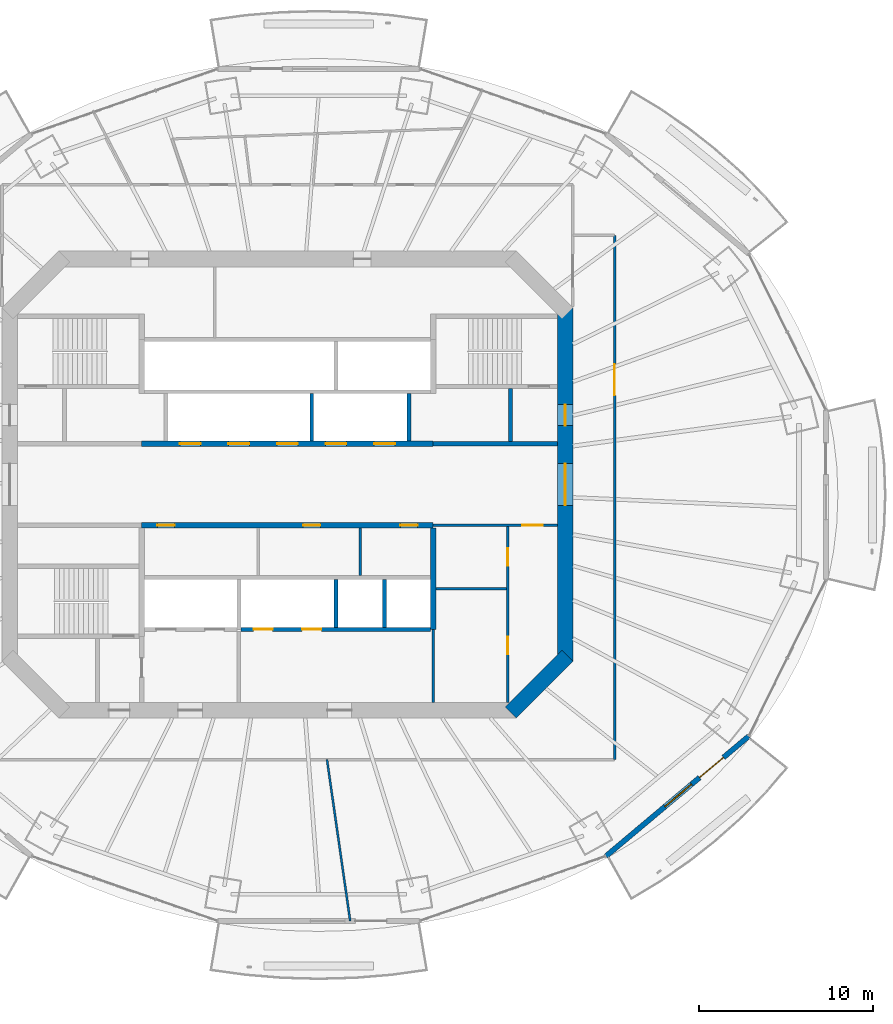
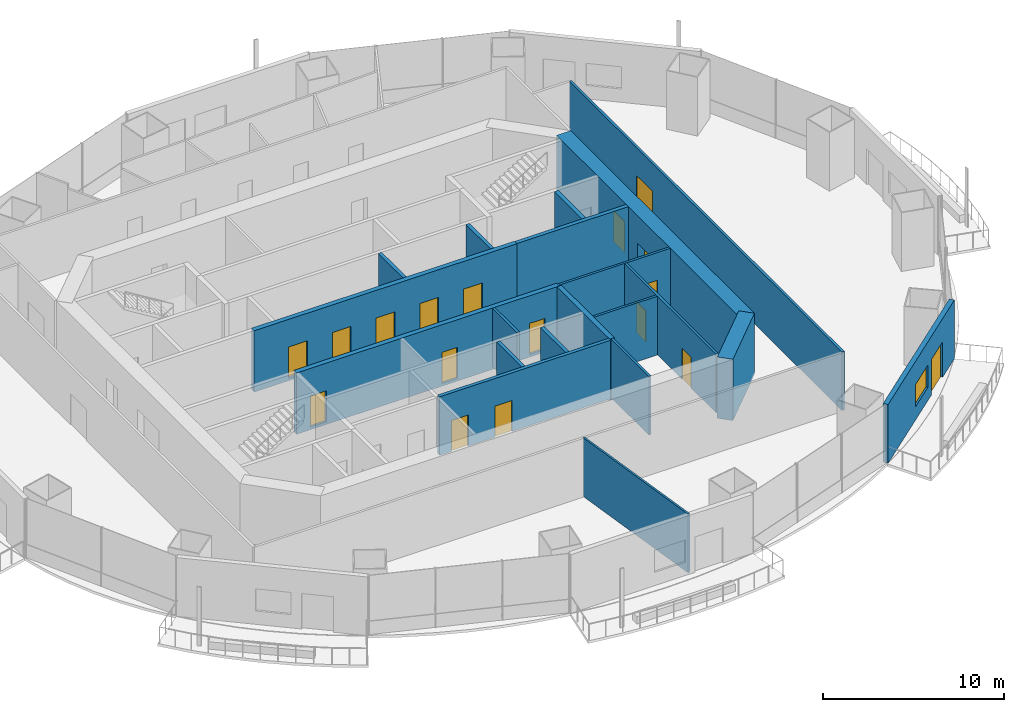
# One storey, part 11 of 19: 20 walls, 17 doors, 1 window, 18 openings.
"""IFC4 building model written with IfcOpenShell, lengths in metres."""

import ifcopenshell
import ifcopenshell.guid

model = None  # the IFC model being written
_history = None  # IfcOwnerHistory: only IFC2X3 demands one
_inside = {}  # id of a spatial element -> (the spatial element, [elements in it])
_under = {}  # id of a project, library or spatial element -> (it, [spatial elements below it])
_declared = {}  # id of a project -> (the project, [libraries it declares])
_typed = {}  # id of a type object -> (the type object, [elements of that type])
_made_of = {}  # id of a material, layer set ... -> (it, [elements and type objects made of it])


def new_model(schema):
    """Start an empty IFC model of exactly this schema.

    Asked for "IFC4X3", IfcOpenShell would pick the latest addendum, in which some entities
    have other attributes; the version numbers below select the first issue.
    IFC2X3 requires an IfcOwnerHistory on every rooted entity: one is made here for all.
    """
    global model, _history
    if schema == "IFC4X3":
        model = ifcopenshell.file(schema_version=(4, 3, 0, 0))
    else:
        model = ifcopenshell.file(schema=schema)
    _inside.clear()
    _under.clear()
    _declared.clear()
    _typed.clear()
    _made_of.clear()
    _history = None
    if model.schema == "IFC2X3":
        org = make("IfcOrganization", Name="unknown")
        user = make(
            "IfcPersonAndOrganization",
            ThePerson=make("IfcPerson", FamilyName="unknown"),
            TheOrganization=org,
        )
        app = make(
            "IfcApplication",
            ApplicationDeveloper=org,
            Version="unknown",
            ApplicationFullName="unknown",
            ApplicationIdentifier="unknown",
        )
        _history = make(
            "IfcOwnerHistory",
            OwningUser=user,
            OwningApplication=app,
            ChangeAction="ADDED",
            CreationDate=0,
        )
    return model


def make(cls, **values):
    """One entity of the class cls with the attributes given. An attribute that is None is left unset."""
    return model.create_entity(
        cls, **{name: value for name, value in values.items() if value is not None}
    )


def rooted(cls, **values):
    """An entity with a GlobalId (a new one), such as an element, a storey or a relation."""
    return make(cls, GlobalId=ifcopenshell.guid.new(), OwnerHistory=_history, **values)


def si_unit(unit_type, name, prefix=None):
    """IfcSIUnit, for example si_unit("LENGTHUNIT", "METRE", prefix="MILLI")."""
    return make("IfcSIUnit", UnitType=unit_type, Prefix=prefix, Name=name)


def assignment(units):
    """IfcUnitAssignment: the units of a project."""
    return None if units is None else make("IfcUnitAssignment", Units=units)


def point(xyz):
    """IfcCartesianPoint."""
    return None if xyz is None else make("IfcCartesianPoint", Coordinates=xyz)


def direction(xyz):
    """IfcDirection."""
    return None if xyz is None else make("IfcDirection", DirectionRatios=xyz)


def frame(location, z_axis=None, x_axis=None):
    """IfcAxis2Placement3D, a coordinate frame: its origin and axes. An axis left out is left unset."""
    return make(
        "IfcAxis2Placement3D",
        Location=point(location),
        Axis=direction(z_axis),
        RefDirection=direction(x_axis),
    )


def frame_2d(location, x_axis=None):
    """IfcAxis2Placement2D, a coordinate frame in the plane: its origin and x axis."""
    return make(
        "IfcAxis2Placement2D", Location=point(location), RefDirection=direction(x_axis)
    )


def origin():
    """The frame at (0, 0, 0) with its axes left unset."""
    return frame((0.0, 0.0, 0.0))


def place(relative_to, where):
    """IfcLocalPlacement: puts the frame where relative to a parent placement (None: the world)."""
    return make(
        "IfcLocalPlacement", PlacementRelTo=relative_to, RelativePlacement=where
    )


def context(
    kind, dimensions, precision=None, world=None, true_north=None, identifier=None
):
    """IfcGeometricRepresentationContext, for example the 3D "Model" context."""
    return make(
        "IfcGeometricRepresentationContext",
        ContextIdentifier=identifier,
        ContextType=kind,
        CoordinateSpaceDimension=dimensions,
        Precision=precision,
        WorldCoordinateSystem=world,
        TrueNorth=true_north,
    )


def subcontext(parent, identifier, kind, view, scale=None):
    """IfcGeometricRepresentationSubContext, for example "Body" below "Model"."""
    return make(
        "IfcGeometricRepresentationSubContext",
        ContextIdentifier=identifier,
        ContextType=kind,
        ParentContext=parent,
        TargetScale=scale,
        TargetView=view,
    )


def project(units=None, contexts=None):
    """IfcProject with its units and contexts."""
    return rooted(
        "IfcProject",
        Name="project",
        RepresentationContexts=contexts,
        UnitsInContext=assignment(units),
    )


def spatial(cls, under=None, at=None, **own):
    """A site, building, storey or space (cls), placed at a placement, below another one or the project."""
    s = rooted(cls, ObjectPlacement=at, **own)
    if under is not None:
        _under.setdefault(under.id(), (under, []))[1].append(s)
    return s


def profile(cls, at=None, kind="AREA", **sizes):
    """A parametric profile (cls). Its sizes go by their IFC names, for example OverallWidth=200.0."""
    return make(cls, ProfileType=kind, Position=at, **sizes)


def rectangle(**sizes):
    """IfcRectangleProfileDef."""
    return profile("IfcRectangleProfileDef", **sizes)


def extrude(swept, where, along, depth):
    """IfcExtrudedAreaSolid: the profile swept, set in the frame where, extruded along a direction by depth."""
    return make(
        "IfcExtrudedAreaSolid",
        SweptArea=swept,
        Position=where,
        ExtrudedDirection=direction(along),
        Depth=depth,
    )


def shape(context_of_items, identifier, shape_type, items):
    """IfcShapeRepresentation: the items that make up one representation, for example the "Body"."""
    return make(
        "IfcShapeRepresentation",
        ContextOfItems=context_of_items,
        RepresentationIdentifier=identifier,
        RepresentationType=shape_type,
        Items=items,
    )


def material(Name=None, Category=None):
    """IfcMaterial."""
    return make("IfcMaterial", Name=Name, Category=Category)


def layer(
    of_material, thickness, ventilated=None, Name=None, Category=None, Priority=None
):
    """IfcMaterialLayer: one layer of a wall or slab, of a material (None: an air gap)."""
    return make(
        "IfcMaterialLayer",
        Material=of_material,
        LayerThickness=thickness,
        IsVentilated=ventilated,
        Name=Name,
        Category=Category,
        Priority=Priority,
    )


def layer_set(layers, Name=None):
    """IfcMaterialLayerSet."""
    return make("IfcMaterialLayerSet", MaterialLayers=layers, LayerSetName=Name)


def made_of(thing, what):
    """Note that an element or type object is made of a material, layer set ...; save() writes the relation."""
    if what is not None:
        _made_of.setdefault(what.id(), (what, []))[1].append(thing)
    return thing


def type_object(cls, material=None, **own):
    """A type object (cls), such as IfcWallType, which elements share."""
    return made_of(rooted(cls, **own), material)


def element(
    cls,
    number,
    at=None,
    inside=None,
    cuts=None,
    type_object=None,
    material=None,
    context=None,
    identifier="Body",
    shape_type=None,
    held_by="IfcProductDefinitionShape",
    body=None,
    shapes=None,
    **own,
):
    """One element of the class cls, such as IfcWall. Its Tag is "e" and its number.

    at: its placement. inside: the storey or other place that contains it. cuts: it is an
    opening in that element (IfcRelVoidsElement). A single representation is given by context,
    identifier, shape_type and body (its items); several are given by shapes. held_by: the class
    of the entity that holds the representations. save() writes the other relations.
    """
    e = rooted(cls, Tag="e%d" % number, ObjectPlacement=at, **own)
    if body is not None:
        shapes = [shape(context, identifier, shape_type, body)]
    if shapes is not None:
        e.Representation = make(held_by, Representations=shapes)
    if inside is not None:
        _inside.setdefault(inside.id(), (inside, []))[1].append(e)
    if cuts is not None:
        rooted(
            "IfcRelVoidsElement", RelatingBuildingElement=cuts, RelatedOpeningElement=e
        )
    if type_object is not None:
        _typed.setdefault(type_object.id(), (type_object, []))[1].append(e)
    return made_of(e, material)


def fill(opening, filler):
    """IfcRelFillsElement: the door or window that sits in an opening."""
    return rooted(
        "IfcRelFillsElement",
        RelatingOpeningElement=opening,
        RelatedBuildingElement=filler,
    )


def aggregate(whole, parts):
    """IfcRelAggregates: a whole, such as a stair, and the parts it consists of."""
    return rooted("IfcRelAggregates", RelatingObject=whole, RelatedObjects=parts)


def save(model, path):
    """Write the relations noted so far, then the file.

    IfcRelAggregates (storeys below a building ...), IfcRelContainedInSpatialStructure (elements
    in a storey), IfcRelDefinesByType, IfcRelAssociatesMaterial and IfcRelDeclares: one each for
    every whole, place, type object, material and project.
    """
    for whole, parts in _under.values():
        aggregate(whole, parts)
    for where, things in _inside.values():
        rooted(
            "IfcRelContainedInSpatialStructure",
            RelatedElements=things,
            RelatingStructure=where,
        )
    for kind, things in _typed.values():
        rooted("IfcRelDefinesByType", RelatedObjects=things, RelatingType=kind)
    for what, things in _made_of.values():
        rooted("IfcRelAssociatesMaterial", RelatedObjects=things, RelatingMaterial=what)
    for by, libraries in _declared.values():
        rooted("IfcRelDeclares", RelatingContext=by, RelatedDefinitions=libraries)
    model.write(path)


model = new_model("IFC4")

# Units and contexts
model_context = context("Model", 3, precision=1e-05, world=origin(), true_north=direction((0.0, 1.0)))
body_context = subcontext(model_context, "Body", "Model", "MODEL_VIEW")
ifc_project = project(units=[si_unit("LENGTHUNIT", "METRE"), si_unit("AREAUNIT", "SQUARE_METRE"), si_unit("VOLUMEUNIT", "CUBIC_METRE"), si_unit("PLANEANGLEUNIT", "RADIAN"), si_unit("MASSUNIT", "GRAM", prefix="KILO")], contexts=[model_context])

# Site, building, storey
site_placement = place(None, origin())
site = spatial("IfcSite", under=ifc_project, at=site_placement, CompositionType="ELEMENT")
building_placement = place(site_placement, origin())
building = spatial("IfcBuilding", under=site, at=building_placement, Name="Marenthal Gate Tower", CompositionType="ELEMENT")
storey_placement = place(building_placement, frame((0.0, 0.0, 256.5)))
storey = spatial("IfcBuildingStorey", under=building, at=storey_placement, Name="L57", CompositionType="ELEMENT", Elevation=256.5)

# Wall
ifc_material_1 = material(Name="Concrete 60 MPa", Category="concrete")
ifc_layer_1 = layer(ifc_material_1, 0.89990234375)
ifc_layer_set_1 = layer_set([ifc_layer_1], Name="Core shear wall 900")
wall_type_1 = type_object("IfcWallType", Name="Core shear wall 900", PredefinedType="SHEAR", material=ifc_layer_set_1)
wall_1_placement = place(storey_placement, frame((12.8681640625, -13.1318359375, -0.179931640625), z_axis=(0.0, 0.0, 1.0), x_axis=(0.707106781187, 0.707106781187, 0.0)))
element("IfcWall", 1, at=wall_1_placement, inside=storey, type_object=wall_type_1, Name="Core wall 01", PredefinedType="SHEAR", context=body_context, shape_type="SweptSolid", body=[
    extrude(rectangle(XDim=4.615478515625, YDim=0.89990234375, at=frame_2d((2.3076171875, 0.0))), origin(), (0.0, 0.0, 1.0), 4.14990234375),
])

# Wall, openings, doors
wall_2_placement = place(storey_placement, frame((16.0, -10.186279296875, -0.179931640625), z_axis=(0.0, 0.0, 1.0), x_axis=(0.0, 1.0, 0.0)))
wall_2 = element("IfcWall", 2, at=wall_2_placement, inside=storey, type_object=wall_type_1, Name="Core wall 02", PredefinedType="SHEAR", context=body_context, shape_type="SweptSolid", body=[
    extrude(rectangle(XDim=20.37255859375, YDim=0.89990234375, at=frame_2d((10.186279296875, 0.0))), origin(), (0.0, 0.0, 1.0), 4.14990234375),
])
opening_1_placement = place(wall_2_placement, frame((8.986328125, 0.0, 0.179931640625)))
opening_1 = element("IfcOpeningElement", 3, at=opening_1_placement, cuts=wall_2, Name="Opening D003.02", PredefinedType="OPENING", context=body_context, shape_type="SweptSolid", body=[
    extrude(rectangle(XDim=2.39990234375, YDim=2.10009765625, at=frame_2d((1.199951171875, 1.050048828125))), frame((0.0, 0.4599609375, 0.0), z_axis=(0.0, -1.0, 0.0), x_axis=(1.0, 0.0, 0.0)), (0.0, 0.0, 1.0), 0.919921875),
])
opening_2_placement = place(wall_2_placement, frame((13.58642578125, 0.0, 0.179931640625)))
opening_2 = element("IfcOpeningElement", 4, at=opening_2_placement, cuts=wall_2, Name="Opening D001.05", PredefinedType="OPENING", context=body_context, shape_type="SweptSolid", body=[
    extrude(rectangle(XDim=1.199951171875, YDim=2.10009765625, at=frame_2d((0.60009765625, 1.050048828125))), frame((0.0, 0.4599609375, 0.0), z_axis=(0.0, -1.0, 0.0), x_axis=(1.0, 0.0, 0.0)), (0.0, 0.0, 1.0), 0.919921875),
])
ifc_material_2 = material(Name="Steel fire door", Category="steel")
door_type_1 = type_object("IfcDoorType", Name="Double fire door FD 45 2400 x 2100", OperationType="DOUBLE_DOOR_SINGLE_SWING", PredefinedType="DOOR", material=ifc_material_2)
door_1_placement = place(opening_1_placement, origin())
door_1 = element("IfcDoor", 5, at=door_1_placement, inside=storey, type_object=door_type_1, Name="Door D003.02", OperationType="DOUBLE_DOOR_SINGLE_SWING", OverallHeight=2.10009765625, OverallWidth=2.39990234375, PredefinedType="DOOR", context=body_context, shape_type="SweptSolid", body=[
    extrude(rectangle(XDim=2.39990234375, YDim=2.10009765625, at=frame_2d((1.199951171875, 1.050048828125))), frame((0.0, 0.02490234375, 0.0), z_axis=(0.0, -1.0, 0.0), x_axis=(1.0, 0.0, 0.0)), (0.0, 0.0, 1.0), 0.050048828125),
])
fill(opening_1, door_1)
ifc_material_3 = material(Name="Steel fire door", Category="steel")
door_type_2 = type_object("IfcDoorType", Name="Fire door FD 90 1200 x 2100", OperationType="NOTDEFINED", PredefinedType="DOOR", material=ifc_material_3)
door_2_placement = place(opening_2_placement, origin())
door_2 = element("IfcDoor", 6, at=door_2_placement, inside=storey, type_object=door_type_2, Name="Door D001.05", OperationType="SINGLE_SWING_RIGHT", OverallHeight=2.10009765625, OverallWidth=1.199951171875, PredefinedType="DOOR", context=body_context, shape_type="SweptSolid", body=[
    extrude(rectangle(XDim=1.199951171875, YDim=2.10009765625, at=frame_2d((0.60009765625, 1.050048828125))), frame((0.0, 0.02490234375, 0.0), z_axis=(0.0, -1.0, 0.0), x_axis=(1.0, 0.0, 0.0)), (0.0, 0.0, 1.0), 0.050048828125),
])
fill(opening_2, door_2)

ifc_material_4 = material(Name="Concrete 50 MPa", Category="concrete")
ifc_layer_2 = layer(ifc_material_4, 0.300048828125)
ifc_layer_set_2 = layer_set([ifc_layer_2], Name="Hoistway shear wall 300")
wall_type_2 = type_object("IfcWallType", Name="Hoistway shear wall 300", PredefinedType="SHEAR", material=ifc_layer_set_2)
wall_3_placement = place(storey_placement, frame((-8.39990234375, -2.35009765625, -0.179931640625), z_axis=(0.0, 0.0, 1.0), x_axis=(1.0, 0.0, 0.0)))
wall_3 = element("IfcWall", 7, at=wall_3_placement, inside=storey, type_object=wall_type_2, Name="Hoistway wall 16", PredefinedType="SHEAR", context=body_context, shape_type="SweptSolid", body=[
    extrude(rectangle(XDim=16.7998046875, YDim=0.300048828125, at=frame_2d((8.39990234375, 0.0))), origin(), (0.0, 0.0, 1.0), 4.14990234375),
])
opening_3_placement = place(wall_3_placement, frame((0.89990234375, 0.0, 0.179931640625)))
opening_3 = element("IfcOpeningElement", 8, at=opening_3_placement, cuts=wall_3, Name="Opening D005.01", PredefinedType="OPENING", context=body_context, shape_type="SweptSolid", body=[
    extrude(rectangle(XDim=1.0, YDim=2.10009765625, at=frame_2d((0.5, 1.050048828125))), frame((0.0, 0.16015625, 0.0), z_axis=(0.0, -1.0, 0.0), x_axis=(1.0, 0.0, 0.0)), (0.0, 0.0, 1.0), 0.320068359375),
])
opening_4_placement = place(wall_3_placement, frame((9.300048828125, 0.0, 0.179931640625)))
opening_4 = element("IfcOpeningElement", 9, at=opening_4_placement, cuts=wall_3, Name="Opening D005.02", PredefinedType="OPENING", context=body_context, shape_type="SweptSolid", body=[
    extrude(rectangle(XDim=1.0, YDim=2.10009765625, at=frame_2d((0.5, 1.050048828125))), frame((0.0, 0.16015625, 0.0), z_axis=(0.0, -1.0, 0.0), x_axis=(1.0, 0.0, 0.0)), (0.0, 0.0, 1.0), 0.320068359375),
])
opening_5_placement = place(wall_3_placement, frame((14.89990234375, 0.0, 0.179931640625)))
opening_5 = element("IfcOpeningElement", 10, at=opening_5_placement, cuts=wall_3, Name="Opening D005.03", PredefinedType="OPENING", context=body_context, shape_type="SweptSolid", body=[
    extrude(rectangle(XDim=1.0, YDim=2.10009765625, at=frame_2d((0.5, 1.050048828125))), frame((0.0, 0.16015625, 0.0), z_axis=(0.0, -1.0, 0.0), x_axis=(1.0, 0.0, 0.0)), (0.0, 0.0, 1.0), 0.320068359375),
])
ifc_material_5 = material(Name="Steel fire door", Category="steel")
door_type_3 = type_object("IfcDoorType", Name="Fire door FD 45 1000 x 2100", OperationType="NOTDEFINED", PredefinedType="DOOR", material=ifc_material_5)
door_3_placement = place(opening_3_placement, frame((1.0, 0.0, 0.0), z_axis=(0.0, 0.0, 1.0), x_axis=(-1.0, 0.0, 0.0)))
door_3 = element("IfcDoor", 11, at=door_3_placement, inside=storey, type_object=door_type_3, Name="Door D005.01", OperationType="SINGLE_SWING_LEFT", OverallHeight=2.10009765625, OverallWidth=1.0, PredefinedType="DOOR", context=body_context, shape_type="SweptSolid", body=[
    extrude(rectangle(XDim=1.0, YDim=2.10009765625, at=frame_2d((0.5, 1.050048828125))), frame((0.0, 0.02490234375, 0.0), z_axis=(0.0, -1.0, 0.0), x_axis=(1.0, 0.0, 0.0)), (0.0, 0.0, 1.0), 0.050048828125),
])
fill(opening_3, door_3)
door_4_placement = place(opening_4_placement, frame((1.0, 0.0, 0.0), z_axis=(0.0, 0.0, 1.0), x_axis=(-1.0, 0.0, 0.0)))
door_4 = element("IfcDoor", 12, at=door_4_placement, inside=storey, type_object=door_type_3, Name="Door D005.02", OperationType="SINGLE_SWING_LEFT", OverallHeight=2.10009765625, OverallWidth=1.0, PredefinedType="DOOR", context=body_context, shape_type="SweptSolid", body=[
    extrude(rectangle(XDim=1.0, YDim=2.10009765625, at=frame_2d((0.5, 1.050048828125))), frame((0.0, 0.02490234375, 0.0), z_axis=(0.0, -1.0, 0.0), x_axis=(1.0, 0.0, 0.0)), (0.0, 0.0, 1.0), 0.050048828125),
])
fill(opening_4, door_4)
door_5_placement = place(opening_5_placement, frame((1.0, 0.0, 0.0), z_axis=(0.0, 0.0, 1.0), x_axis=(-1.0, 0.0, 0.0)))
door_5 = element("IfcDoor", 13, at=door_5_placement, inside=storey, type_object=door_type_3, Name="Door D005.03", OperationType="SINGLE_SWING_LEFT", OverallHeight=2.10009765625, OverallWidth=1.0, PredefinedType="DOOR", context=body_context, shape_type="SweptSolid", body=[
    extrude(rectangle(XDim=1.0, YDim=2.10009765625, at=frame_2d((0.5, 1.050048828125))), frame((0.0, 0.02490234375, 0.0), z_axis=(0.0, -1.0, 0.0), x_axis=(1.0, 0.0, 0.0)), (0.0, 0.0, 1.0), 0.050048828125),
])
fill(opening_5, door_5)

wall_4_placement = place(storey_placement, frame((-8.39990234375, 2.35009765625, -0.179931640625), z_axis=(0.0, 0.0, 1.0), x_axis=(1.0, 0.0, 0.0)))
wall_4 = element("IfcWall", 14, at=wall_4_placement, inside=storey, type_object=wall_type_2, Name="Hoistway wall 19", PredefinedType="SHEAR", context=body_context, shape_type="SweptSolid", body=[
    extrude(rectangle(XDim=16.7998046875, YDim=0.300048828125, at=frame_2d((8.39990234375, 0.0))), origin(), (0.0, 0.0, 1.0), 4.14990234375),
])
opening_6_placement = place(wall_4_placement, frame((2.199951171875, 0.0, 0.179931640625)))
opening_6 = element("IfcOpeningElement", 15, at=opening_6_placement, cuts=wall_4, Name="Opening LD-MP1", PredefinedType="OPENING", context=body_context, shape_type="SweptSolid", body=[
    extrude(rectangle(XDim=1.199951171875, YDim=2.10009765625, at=frame_2d((0.60009765625, 1.050048828125))), frame((0.0, 0.16015625, 0.0), z_axis=(0.0, -1.0, 0.0), x_axis=(1.0, 0.0, 0.0)), (0.0, 0.0, 1.0), 0.320068359375),
])
opening_7_placement = place(wall_4_placement, frame((5.0, 0.0, 0.179931640625)))
opening_7 = element("IfcOpeningElement", 16, at=opening_7_placement, cuts=wall_4, Name="Opening LD-MP2", PredefinedType="OPENING", context=body_context, shape_type="SweptSolid", body=[
    extrude(rectangle(XDim=1.199951171875, YDim=2.10009765625, at=frame_2d((0.60009765625, 1.050048828125))), frame((0.0, 0.16015625, 0.0), z_axis=(0.0, -1.0, 0.0), x_axis=(1.0, 0.0, 0.0)), (0.0, 0.0, 1.0), 0.320068359375),
])
opening_8_placement = place(wall_4_placement, frame((7.800048828125, 0.0, 0.179931640625)))
opening_8 = element("IfcOpeningElement", 17, at=opening_8_placement, cuts=wall_4, Name="Opening LD-MP3", PredefinedType="OPENING", context=body_context, shape_type="SweptSolid", body=[
    extrude(rectangle(XDim=1.199951171875, YDim=2.10009765625, at=frame_2d((0.60009765625, 1.050048828125))), frame((0.0, 0.16015625, 0.0), z_axis=(0.0, -1.0, 0.0), x_axis=(1.0, 0.0, 0.0)), (0.0, 0.0, 1.0), 0.320068359375),
])
opening_9_placement = place(wall_4_placement, frame((10.60009765625, 0.0, 0.179931640625)))
opening_9 = element("IfcOpeningElement", 18, at=opening_9_placement, cuts=wall_4, Name="Opening LD-MP4", PredefinedType="OPENING", context=body_context, shape_type="SweptSolid", body=[
    extrude(rectangle(XDim=1.199951171875, YDim=2.10009765625, at=frame_2d((0.60009765625, 1.050048828125))), frame((0.0, 0.16015625, 0.0), z_axis=(0.0, -1.0, 0.0), x_axis=(1.0, 0.0, 0.0)), (0.0, 0.0, 1.0), 0.320068359375),
])
opening_10_placement = place(wall_4_placement, frame((13.39990234375, 0.0, 0.179931640625)))
opening_10 = element("IfcOpeningElement", 19, at=opening_10_placement, cuts=wall_4, Name="Opening LD-MP5", PredefinedType="OPENING", context=body_context, shape_type="SweptSolid", body=[
    extrude(rectangle(XDim=1.199951171875, YDim=2.10009765625, at=frame_2d((0.60009765625, 1.050048828125))), frame((0.0, 0.16015625, 0.0), z_axis=(0.0, -1.0, 0.0), x_axis=(1.0, 0.0, 0.0)), (0.0, 0.0, 1.0), 0.320068359375),
])
ifc_material_6 = material(Name="Stainless steel sliding door", Category="steel")
door_type_4 = type_object("IfcDoorType", Name="Lift landing door FD 90 1200 x 2100", OperationType="DOUBLE_DOOR_SLIDING", PredefinedType="DOOR", material=ifc_material_6)
door_6_placement = place(opening_6_placement, origin())
door_6 = element("IfcDoor", 20, at=door_6_placement, inside=storey, type_object=door_type_4, Name="Lift landing door MP1", OperationType="DOUBLE_DOOR_SLIDING", OverallHeight=2.10009765625, OverallWidth=1.199951171875, PredefinedType="DOOR", context=body_context, shape_type="SweptSolid", body=[
    extrude(rectangle(XDim=1.199951171875, YDim=2.10009765625, at=frame_2d((0.60009765625, 1.050048828125))), frame((0.0, 0.02490234375, 0.0), z_axis=(0.0, -1.0, 0.0), x_axis=(1.0, 0.0, 0.0)), (0.0, 0.0, 1.0), 0.050048828125),
])
fill(opening_6, door_6)
door_7_placement = place(opening_7_placement, origin())
door_7 = element("IfcDoor", 21, at=door_7_placement, inside=storey, type_object=door_type_4, Name="Lift landing door MP2", OperationType="DOUBLE_DOOR_SLIDING", OverallHeight=2.10009765625, OverallWidth=1.199951171875, PredefinedType="DOOR", context=body_context, shape_type="SweptSolid", body=[
    extrude(rectangle(XDim=1.199951171875, YDim=2.10009765625, at=frame_2d((0.60009765625, 1.050048828125))), frame((0.0, 0.02490234375, 0.0), z_axis=(0.0, -1.0, 0.0), x_axis=(1.0, 0.0, 0.0)), (0.0, 0.0, 1.0), 0.050048828125),
])
fill(opening_7, door_7)
door_8_placement = place(opening_8_placement, origin())
door_8 = element("IfcDoor", 22, at=door_8_placement, inside=storey, type_object=door_type_4, Name="Lift landing door MP3", OperationType="DOUBLE_DOOR_SLIDING", OverallHeight=2.10009765625, OverallWidth=1.199951171875, PredefinedType="DOOR", context=body_context, shape_type="SweptSolid", body=[
    extrude(rectangle(XDim=1.199951171875, YDim=2.10009765625, at=frame_2d((0.60009765625, 1.050048828125))), frame((0.0, 0.02490234375, 0.0), z_axis=(0.0, -1.0, 0.0), x_axis=(1.0, 0.0, 0.0)), (0.0, 0.0, 1.0), 0.050048828125),
])
fill(opening_8, door_8)
door_9_placement = place(opening_9_placement, origin())
door_9 = element("IfcDoor", 23, at=door_9_placement, inside=storey, type_object=door_type_4, Name="Lift landing door MP4", OperationType="DOUBLE_DOOR_SLIDING", OverallHeight=2.10009765625, OverallWidth=1.199951171875, PredefinedType="DOOR", context=body_context, shape_type="SweptSolid", body=[
    extrude(rectangle(XDim=1.199951171875, YDim=2.10009765625, at=frame_2d((0.60009765625, 1.050048828125))), frame((0.0, 0.02490234375, 0.0), z_axis=(0.0, -1.0, 0.0), x_axis=(1.0, 0.0, 0.0)), (0.0, 0.0, 1.0), 0.050048828125),
])
fill(opening_9, door_9)
door_10_placement = place(opening_10_placement, origin())
door_10 = element("IfcDoor", 24, at=door_10_placement, inside=storey, type_object=door_type_4, Name="Lift landing door MP5", OperationType="DOUBLE_DOOR_SLIDING", OverallHeight=2.10009765625, OverallWidth=1.199951171875, PredefinedType="DOOR", context=body_context, shape_type="SweptSolid", body=[
    extrude(rectangle(XDim=1.199951171875, YDim=2.10009765625, at=frame_2d((0.60009765625, 1.050048828125))), frame((0.0, 0.02490234375, 0.0), z_axis=(0.0, -1.0, 0.0), x_axis=(1.0, 0.0, 0.0)), (0.0, 0.0, 1.0), 0.050048828125),
])
fill(opening_10, door_10)

# Wall
wall_5_placement = place(storey_placement, frame((8.39990234375, -8.35009765625, -0.179931640625), z_axis=(0.0, 0.0, 1.0), x_axis=(0.0, 1.0, 0.0)))
element("IfcWall", 25, at=wall_5_placement, inside=storey, type_object=wall_type_2, Name="Hoistway wall 45", PredefinedType="SHEAR", context=body_context, shape_type="SweptSolid", body=[
    extrude(rectangle(XDim=5.85009765625, YDim=0.300048828125, at=frame_2d((2.925048828125, 0.0))), origin(), (0.0, 0.0, 1.0), 4.14990234375),
])

# Wall, openings, doors
ifc_material_7 = material(Name="Concrete 40 MPa", Category="concrete")
ifc_layer_3 = layer(ifc_material_7, 0.219970703125)
ifc_layer_set_3 = layer_set([ifc_layer_3], Name="Hoistway wall 220")
wall_type_3 = type_object("IfcWallType", Name="Hoistway wall 220", PredefinedType="STANDARD", material=ifc_layer_set_3)
wall_6_placement = place(storey_placement, frame((-2.68994140625, -8.35009765625, 0.0), z_axis=(0.0, 0.0, 1.0), x_axis=(1.0, 0.0, 0.0)))
wall_6 = element("IfcWall", 26, at=wall_6_placement, inside=storey, type_object=wall_type_3, Name="Hoistway wall 11", PredefinedType="STANDARD", context=body_context, shape_type="SweptSolid", body=[
    extrude(rectangle(XDim=10.93994140625, YDim=0.219970703125, at=frame_2d((5.469970703125, 0.0))), origin(), (0.0, 0.0, 1.0), 3.969970703125),
])
opening_11_placement = place(wall_6_placement, frame((0.739990234375, 0.0, 0.0)))
opening_11 = element("IfcOpeningElement", 27, at=opening_11_placement, cuts=wall_6, Name="Opening LD-SV1", PredefinedType="OPENING", context=body_context, shape_type="SweptSolid", body=[
    extrude(rectangle(XDim=1.10009765625, YDim=2.10009765625, at=frame_2d((0.550048828125, 1.050048828125))), frame((0.0, 0.1201171875, 0.0), z_axis=(0.0, -1.0, 0.0), x_axis=(1.0, 0.0, 0.0)), (0.0, 0.0, 1.0), 0.239990234375),
])
opening_12_placement = place(wall_6_placement, frame((3.5400390625, 0.0, 0.0)))
opening_12 = element("IfcOpeningElement", 28, at=opening_12_placement, cuts=wall_6, Name="Opening LD-SV2", PredefinedType="OPENING", context=body_context, shape_type="SweptSolid", body=[
    extrude(rectangle(XDim=1.10009765625, YDim=2.10009765625, at=frame_2d((0.550048828125, 1.050048828125))), frame((0.0, 0.1201171875, 0.0), z_axis=(0.0, -1.0, 0.0), x_axis=(1.0, 0.0, 0.0)), (0.0, 0.0, 1.0), 0.239990234375),
])
ifc_material_8 = material(Name="Stainless steel sliding door", Category="steel")
door_type_5 = type_object("IfcDoorType", Name="Lift landing door FD 90 1100 x 2100", OperationType="DOUBLE_DOOR_SLIDING", PredefinedType="DOOR", material=ifc_material_8)
door_11_placement = place(opening_11_placement, origin())
door_11 = element("IfcDoor", 29, at=door_11_placement, inside=storey, type_object=door_type_5, Name="Lift landing door SV1", OperationType="DOUBLE_DOOR_SLIDING", OverallHeight=2.10009765625, OverallWidth=1.10009765625, PredefinedType="DOOR", context=body_context, shape_type="SweptSolid", body=[
    extrude(rectangle(XDim=1.10009765625, YDim=2.10009765625, at=frame_2d((0.550048828125, 1.050048828125))), frame((0.0, 0.02490234375, 0.0), z_axis=(0.0, -1.0, 0.0), x_axis=(1.0, 0.0, 0.0)), (0.0, 0.0, 1.0), 0.050048828125),
])
fill(opening_11, door_11)
door_12_placement = place(opening_12_placement, origin())
door_12 = element("IfcDoor", 30, at=door_12_placement, inside=storey, type_object=door_type_5, Name="Lift landing door SV2", OperationType="DOUBLE_DOOR_SLIDING", OverallHeight=2.10009765625, OverallWidth=1.10009765625, PredefinedType="DOOR", context=body_context, shape_type="SweptSolid", body=[
    extrude(rectangle(XDim=1.10009765625, YDim=2.10009765625, at=frame_2d((0.550048828125, 1.050048828125))), frame((0.0, 0.02490234375, 0.0), z_axis=(0.0, -1.0, 0.0), x_axis=(1.0, 0.0, 0.0)), (0.0, 0.0, 1.0), 0.050048828125),
])
fill(opening_12, door_12)

# Walls
wall_7_placement = place(storey_placement, frame((1.39990234375, 2.5, 0.0), z_axis=(0.0, 0.0, 1.0), x_axis=(0.0, 1.0, 0.0)))
element("IfcWall", 31, at=wall_7_placement, inside=storey, type_object=wall_type_3, Name="Hoistway wall 38", PredefinedType="STANDARD", context=body_context, shape_type="SweptSolid", body=[
    extrude(rectangle(XDim=2.739990234375, YDim=0.219970703125, at=frame_2d((1.3701171875, 0.0))), origin(), (0.0, 0.0, 1.0), 3.969970703125),
])
for number, where, z_axis, x_axis, name in (
    (32, (2.800048828125, -8.239990234375, 0.0), (0.0, 0.0, 1.0), (0.0, 1.0, 0.0), "Hoistway wall 39"),
    (33, (5.60009765625, -8.239990234375, 0.0), (0.0, 0.0, 1.0), (0.0, 1.0, 0.0), "Hoistway wall 42"),
):
    element("IfcWall", number, at=place(storey_placement, frame(where, z_axis=z_axis, x_axis=x_axis)), inside=storey, type_object=wall_type_3, Name=name, PredefinedType="STANDARD", context=body_context, shape_type="SweptSolid", body=[
        extrude(rectangle(XDim=2.780029296875, YDim=0.219970703125, at=frame_2d((1.39013671875, 0.0))), origin(), (0.0, 0.0, 1.0), 3.969970703125),
    ])
wall_8_placement = place(storey_placement, frame((7.0, 2.5, 0.0), z_axis=(0.0, 0.0, 1.0), x_axis=(0.0, 1.0, 0.0)))
element("IfcWall", 34, at=wall_8_placement, inside=storey, type_object=wall_type_3, Name="Hoistway wall 43", PredefinedType="STANDARD", context=body_context, shape_type="SweptSolid", body=[
    extrude(rectangle(XDim=2.739990234375, YDim=0.219970703125, at=frame_2d((1.3701171875, 0.0))), origin(), (0.0, 0.0, 1.0), 3.969970703125),
])
ifc_material_9 = material(Name="Gypsum board on steel studs", Category="steel")
ifc_layer_4 = layer(ifc_material_9, 0.1201171875)
ifc_layer_set_4 = layer_set([ifc_layer_4], Name="Partition 120")
wall_type_4 = type_object("IfcWallType", Name="Partition 120", PredefinedType="PARTITIONING", material=ifc_layer_set_4)
wall_9_placement = place(storey_placement, frame((2.277587890625, -15.85009765625, 0.0), z_axis=(0.0, 0.0, 1.0), x_axis=(0.142221386526, -0.989834873711, 0.0)))
element("IfcWall", 35, at=wall_9_placement, inside=storey, type_object=wall_type_4, Name="Partition wall 58", PredefinedType="PARTITIONING", context=body_context, shape_type="SweptSolid", body=[
    extrude(rectangle(XDim=9.3984375, YDim=0.1201171875, at=frame_2d((4.69921875, 0.0))), origin(), (0.0, 0.0, 1.0), 3.969970703125),
])
ifc_material_10 = material(Name="Gypsum board on steel studs", Category="steel")
ifc_layer_5 = layer(ifc_material_10, 0.14990234375)
ifc_layer_set_5 = layer_set([ifc_layer_5], Name="Partition 150")
wall_type_5 = type_object("IfcWallType", Name="Partition 150", PredefinedType="PARTITIONING", material=ifc_layer_set_5)
wall_10_placement = place(storey_placement, frame((8.550048828125, -6.0, 0.0), z_axis=(0.0, 0.0, 1.0), x_axis=(1.0, 0.0, 0.0)))
element("IfcWall", 36, at=wall_10_placement, inside=storey, type_object=wall_type_5, Name="Partition wall 12", PredefinedType="PARTITIONING", context=body_context, shape_type="SweptSolid", body=[
    extrude(rectangle(XDim=4.074951171875, YDim=0.14990234375, at=frame_2d((2.03759765625, 0.0))), origin(), (0.0, 0.0, 1.0), 3.969970703125),
])

# Wall, opening, door
wall_11_placement = place(storey_placement, frame((8.39990234375, -2.35009765625, 0.0), z_axis=(0.0, 0.0, 1.0), x_axis=(1.0, 0.0, 0.0)))
wall_11 = element("IfcWall", 37, at=wall_11_placement, inside=storey, type_object=wall_type_5, Name="Partition wall 17", PredefinedType="PARTITIONING", context=body_context, shape_type="SweptSolid", body=[
    extrude(rectangle(XDim=7.150146484375, YDim=0.14990234375, at=frame_2d((3.5751953125, 0.0))), origin(), (0.0, 0.0, 1.0), 3.969970703125),
])
opening_13_placement = place(wall_11_placement, frame((5.125, 0.0, 0.0)))
opening_13 = element("IfcOpeningElement", 38, at=opening_13_placement, cuts=wall_11, Name="Opening D006.01", PredefinedType="OPENING", context=body_context, shape_type="SweptSolid", body=[
    extrude(rectangle(XDim=1.199951171875, YDim=2.10009765625, at=frame_2d((0.60009765625, 1.050048828125))), frame((0.0, 0.0849609375, 0.0), z_axis=(0.0, -1.0, 0.0), x_axis=(1.0, 0.0, 0.0)), (0.0, 0.0, 1.0), 0.169921875),
])
ifc_material_11 = material(Name="Steel fire door", Category="steel")
door_type_6 = type_object("IfcDoorType", Name="Fire door FD 45 1200 x 2100", OperationType="NOTDEFINED", PredefinedType="DOOR", material=ifc_material_11)
door_13_placement = place(opening_13_placement, frame((1.199951171875, 0.0, 0.0), z_axis=(0.0, 0.0, 1.0), x_axis=(-1.0, 0.0, 0.0)))
door_13 = element("IfcDoor", 39, at=door_13_placement, inside=storey, type_object=door_type_6, Name="Door D006.01", OperationType="SINGLE_SWING_LEFT", OverallHeight=2.10009765625, OverallWidth=1.199951171875, PredefinedType="DOOR", context=body_context, shape_type="SweptSolid", body=[
    extrude(rectangle(XDim=1.199951171875, YDim=2.10009765625, at=frame_2d((0.60009765625, 1.050048828125))), frame((0.0, 0.02490234375, 0.0), z_axis=(0.0, -1.0, 0.0), x_axis=(1.0, 0.0, 0.0)), (0.0, 0.0, 1.0), 0.050048828125),
])
fill(opening_13, door_13)

# Walls
wall_12_placement = place(storey_placement, frame((4.199951171875, -5.239990234375, 0.0), z_axis=(0.0, 0.0, 1.0), x_axis=(0.0, 1.0, 0.0)))
element("IfcWall", 40, at=wall_12_placement, inside=storey, type_object=wall_type_5, Name="Partition wall 41", PredefinedType="PARTITIONING", context=body_context, shape_type="SweptSolid", body=[
    extrude(rectangle(XDim=2.739990234375, YDim=0.14990234375, at=frame_2d((1.3701171875, 0.0))), origin(), (0.0, 0.0, 1.0), 3.969970703125),
])
wall_13_placement = place(storey_placement, frame((8.39990234375, -12.550048828125, 0.0), z_axis=(0.0, 0.0, 1.0), x_axis=(0.0, 1.0, 0.0)))
element("IfcWall", 41, at=wall_13_placement, inside=storey, type_object=wall_type_5, Name="Partition wall 44", PredefinedType="PARTITIONING", context=body_context, shape_type="SweptSolid", body=[
    extrude(rectangle(XDim=4.199951171875, YDim=0.14990234375, at=frame_2d((2.10009765625, 0.0))), origin(), (0.0, 0.0, 1.0), 3.969970703125),
])

# Wall, openings, doors
wall_14_placement = place(storey_placement, frame((12.699951171875, -12.550048828125, 0.0), z_axis=(0.0, 0.0, 1.0), x_axis=(0.0, 1.0, 0.0)))
wall_14 = element("IfcWall", 42, at=wall_14_placement, inside=storey, type_object=wall_type_5, Name="Partition wall 48", PredefinedType="PARTITIONING", context=body_context, shape_type="SweptSolid", body=[
    extrude(rectangle(XDim=10.125, YDim=0.14990234375, at=frame_2d((5.0625, 0.0))), origin(), (0.0, 0.0, 1.0), 3.969970703125),
])
opening_14_placement = place(wall_14_placement, frame((7.875, 0.0, 0.0)))
opening_14 = element("IfcOpeningElement", 43, at=opening_14_placement, cuts=wall_14, Name="Opening D005.06", PredefinedType="OPENING", context=body_context, shape_type="SweptSolid", body=[
    extrude(rectangle(XDim=1.0, YDim=2.10009765625, at=frame_2d((0.5, 1.050048828125))), frame((0.0, 0.0849609375, 0.0), z_axis=(0.0, -1.0, 0.0), x_axis=(1.0, 0.0, 0.0)), (0.0, 0.0, 1.0), 0.169921875),
])
opening_15_placement = place(wall_14_placement, frame((2.77490234375, 0.0, 0.0)))
opening_15 = element("IfcOpeningElement", 44, at=opening_15_placement, cuts=wall_14, Name="Opening D005.07", PredefinedType="OPENING", context=body_context, shape_type="SweptSolid", body=[
    extrude(rectangle(XDim=1.0, YDim=2.10009765625, at=frame_2d((0.5, 1.050048828125))), frame((0.0, 0.0849609375, 0.0), z_axis=(0.0, -1.0, 0.0), x_axis=(1.0, 0.0, 0.0)), (0.0, 0.0, 1.0), 0.169921875),
])
door_14_placement = place(opening_14_placement, origin())
door_14 = element("IfcDoor", 45, at=door_14_placement, inside=storey, type_object=door_type_3, Name="Door D005.06", OperationType="SINGLE_SWING_RIGHT", OverallHeight=2.10009765625, OverallWidth=1.0, PredefinedType="DOOR", context=body_context, shape_type="SweptSolid", body=[
    extrude(rectangle(XDim=1.0, YDim=2.10009765625, at=frame_2d((0.5, 1.050048828125))), frame((0.0, 0.02490234375, 0.0), z_axis=(0.0, -1.0, 0.0), x_axis=(1.0, 0.0, 0.0)), (0.0, 0.0, 1.0), 0.050048828125),
])
fill(opening_14, door_14)
door_15_placement = place(opening_15_placement, origin())
door_15 = element("IfcDoor", 46, at=door_15_placement, inside=storey, type_object=door_type_3, Name="Door D005.07", OperationType="SINGLE_SWING_RIGHT", OverallHeight=2.10009765625, OverallWidth=1.0, PredefinedType="DOOR", context=body_context, shape_type="SweptSolid", body=[
    extrude(rectangle(XDim=1.0, YDim=2.10009765625, at=frame_2d((0.5, 1.050048828125))), frame((0.0, 0.02490234375, 0.0), z_axis=(0.0, -1.0, 0.0), x_axis=(1.0, 0.0, 0.0)), (0.0, 0.0, 1.0), 0.050048828125),
])
fill(opening_15, door_15)

# Wall, opening, door
wall_15_placement = place(storey_placement, frame((18.85009765625, 14.357177734375, 0.0), z_axis=(0.0, 0.0, 1.0), x_axis=(0.0, -1.0, 0.0)))
wall_15 = element("IfcWall", 47, at=wall_15_placement, inside=storey, type_object=wall_type_5, Name="Partition wall 65", PredefinedType="PARTITIONING", context=body_context, shape_type="SweptSolid", body=[
    extrude(rectangle(XDim=30.207275390625, YDim=0.14990234375, at=frame_2d((15.103515625, 0.0))), origin(), (0.0, 0.0, 1.0), 3.969970703125),
])
opening_16_placement = place(wall_15_placement, frame((7.41796875, 0.0, 0.0)))
opening_16 = element("IfcOpeningElement", 48, at=opening_16_placement, cuts=wall_15, Name="Opening D014.02", PredefinedType="OPENING", context=body_context, shape_type="SweptSolid", body=[
    extrude(rectangle(XDim=1.800048828125, YDim=2.10009765625, at=frame_2d((0.89990234375, 1.050048828125))), frame((0.0, 0.0849609375, 0.0), z_axis=(0.0, -1.0, 0.0), x_axis=(1.0, 0.0, 0.0)), (0.0, 0.0, 1.0), 0.169921875),
])
ifc_material_12 = material(Name="Timber door", Category="wood")
door_type_7 = type_object("IfcDoorType", Name="Double door 1800 x 2100", OperationType="DOUBLE_DOOR_SINGLE_SWING", PredefinedType="DOOR", material=ifc_material_12)
door_16_placement = place(opening_16_placement, origin())
door_16 = element("IfcDoor", 49, at=door_16_placement, inside=storey, type_object=door_type_7, Name="Door D014.02", OperationType="DOUBLE_DOOR_SINGLE_SWING", OverallHeight=2.10009765625, OverallWidth=1.800048828125, PredefinedType="DOOR", context=body_context, shape_type="SweptSolid", body=[
    extrude(rectangle(XDim=1.800048828125, YDim=2.10009765625, at=frame_2d((0.89990234375, 1.050048828125))), frame((0.0, 0.02490234375, 0.0), z_axis=(0.0, -1.0, 0.0), x_axis=(1.0, 0.0, 0.0)), (0.0, 0.0, 1.0), 0.050048828125),
])
fill(opening_16, door_16)

# Walls
ifc_material_13 = material(Name="Concrete 40 MPa", Category="concrete")
ifc_layer_6 = layer(ifc_material_13, 0.25)
ifc_layer_set_6 = layer_set([ifc_layer_6], Name="Stair enclosure wall 250")
wall_type_6 = type_object("IfcWallType", Name="Stair enclosure wall 250", PredefinedType="STANDARD", material=ifc_layer_set_6)
wall_16_placement = place(storey_placement, frame((8.39990234375, 2.35009765625, 0.0), z_axis=(0.0, 0.0, 1.0), x_axis=(1.0, 0.0, 0.0)))
element("IfcWall", 50, at=wall_16_placement, inside=storey, type_object=wall_type_6, Name="Stair wall 20", PredefinedType="STANDARD", context=body_context, shape_type="SweptSolid", body=[
    extrude(rectangle(XDim=7.150146484375, YDim=0.25, at=frame_2d((3.5751953125, 0.0))), origin(), (0.0, 0.0, 1.0), 3.969970703125),
])
wall_17_placement = place(storey_placement, frame((12.85009765625, 2.47509765625, 0.0), z_axis=(0.0, 0.0, 1.0), x_axis=(0.0, 1.0, 0.0)))
element("IfcWall", 51, at=wall_17_placement, inside=storey, type_object=wall_type_6, Name="Stair wall 49", PredefinedType="STANDARD", context=body_context, shape_type="SweptSolid", body=[
    extrude(rectangle(XDim=3.0498046875, YDim=0.25, at=frame_2d((1.52490234375, 0.0))), origin(), (0.0, 0.0, 1.0), 3.969970703125),
])

# Wall, openings, door, window
ifc_material_14 = material(Name="Terracotta cladding on insulated concrete-block backing", Category="masonry")
ifc_layer_7 = layer(ifc_material_14, 0.300048828125)
ifc_layer_set_7 = layer_set([ifc_layer_7], Name="Terracotta facade wall 300")
wall_type_7 = type_object("IfcWallType", Name="Terracotta facade wall 300", PredefinedType="SOLIDWALL", material=ifc_layer_set_7)
wall_18_placement = place(storey_placement, frame((18.357666015625, -21.4150390625, 0.0), z_axis=(0.0, 0.0, 1.0), x_axis=(0.765707104139, 0.643189420522, 0.0)))
wall_18 = element("IfcWall", 52, at=wall_18_placement, inside=storey, type_object=wall_type_7, Name="Terracotta facade wall L57 bay 14", PredefinedType="SOLIDWALL", context=body_context, shape_type="SweptSolid", body=[
    extrude(rectangle(XDim=10.738525390625, YDim=0.300048828125, at=frame_2d((5.369140625, 0.0))), origin(), (0.0, 0.0, 1.0), 3.969970703125),
])
opening_17_placement = place(wall_18_placement, frame((7.03857421875, 0.0, 0.0)))
opening_17 = element("IfcOpeningElement", 53, at=opening_17_placement, cuts=wall_18, Name="Opening BD-L57-14", PredefinedType="OPENING", context=body_context, shape_type="SweptSolid", body=[
    extrude(rectangle(XDim=1.800048828125, YDim=2.39990234375, at=frame_2d((0.89990234375, 1.199951171875))), frame((0.0, 0.16015625, 0.0), z_axis=(0.0, -1.0, 0.0), x_axis=(1.0, 0.0, 0.0)), (0.0, 0.0, 1.0), 0.320068359375),
])
opening_18_placement = place(wall_18_placement, frame((4.4384765625, 0.0, 0.89990234375)))
opening_18 = element("IfcOpeningElement", 54, at=opening_18_placement, cuts=wall_18, Name="Opening WN2-L57-14", PredefinedType="OPENING", context=body_context, shape_type="SweptSolid", body=[
    extrude(rectangle(XDim=2.0, YDim=1.5, at=frame_2d((1.0, 0.75))), frame((0.0, 0.16015625, 0.0), z_axis=(0.0, -1.0, 0.0), x_axis=(1.0, 0.0, 0.0)), (0.0, 0.0, 1.0), 0.320068359375),
])
ifc_material_15 = material(Name="Aluminium and glass", Category="aluminium")
door_type_8 = type_object("IfcDoorType", Name="Balcony door 1800x2400", OperationType="DOUBLE_DOOR_SINGLE_SWING", PredefinedType="DOOR", material=ifc_material_15)
door_17_placement = place(opening_17_placement, origin())
door_17 = element("IfcDoor", 55, at=door_17_placement, inside=storey, type_object=door_type_8, Name="Balcony door L57 bay 14", OperationType="SINGLE_SWING_LEFT", OverallHeight=2.39990234375, OverallWidth=1.800048828125, PredefinedType="DOOR", context=body_context, shape_type="SweptSolid", body=[
    extrude(rectangle(XDim=1.800048828125, YDim=2.39990234375, at=frame_2d((0.89990234375, 1.199951171875))), frame((0.0, 0.02490234375, 0.0), z_axis=(0.0, -1.0, 0.0), x_axis=(1.0, 0.0, 0.0)), (0.0, 0.0, 1.0), 0.050048828125),
])
fill(opening_17, door_17)
ifc_material_16 = material(Name="Aluminium and glass", Category="aluminium")
window_type = type_object("IfcWindowType", Name="Window 2000x1500", PartitioningType="DOUBLE_PANEL_VERTICAL", PredefinedType="WINDOW", material=ifc_material_16)
window_placement = place(opening_18_placement, origin())
window = element("IfcWindow", 56, at=window_placement, inside=storey, type_object=window_type, Name="Window L57 bay 14", OverallHeight=1.5, OverallWidth=2.0, PartitioningType="SINGLE_PANEL", PredefinedType="WINDOW", context=body_context, shape_type="SweptSolid", body=[
    extrude(rectangle(XDim=2.0, YDim=1.5, at=frame_2d((1.0, 0.75))), frame((0.0, 0.030029296875, 0.0), z_axis=(0.0, -1.0, 0.0), x_axis=(1.0, 0.0, 0.0)), (0.0, 0.0, 1.0), 0.06005859375),
])
fill(opening_18, window)

save(model, "model.ifc")
